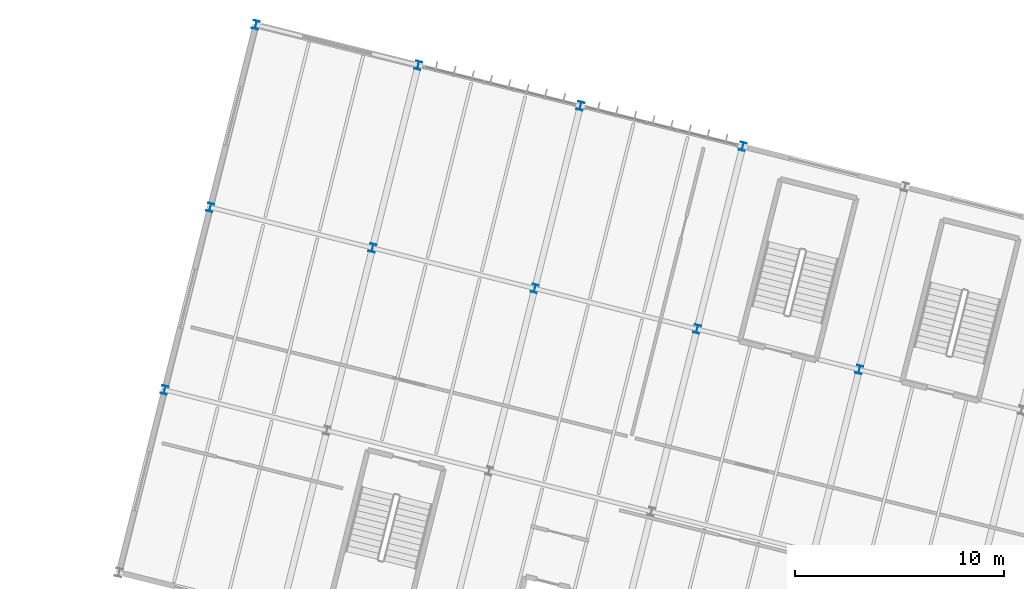
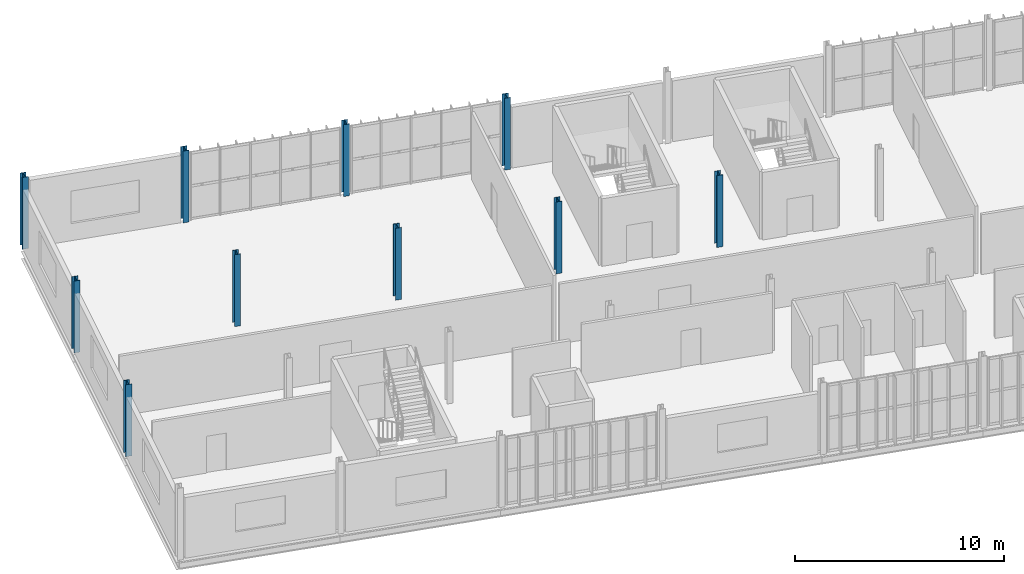
# One storey, part 5 of 61: 10 columns.
"""IFC4 building model written with IfcOpenShell, lengths in metres."""

import ifcopenshell
import ifcopenshell.guid

model = None  # the IFC model being written
_history = None  # IfcOwnerHistory: only IFC2X3 demands one
_inside = {}  # id of a spatial element -> (the spatial element, [elements in it])
_under = {}  # id of a project, library or spatial element -> (it, [spatial elements below it])
_declared = {}  # id of a project -> (the project, [libraries it declares])
_typed = {}  # id of a type object -> (the type object, [elements of that type])
_made_of = {}  # id of a material, layer set ... -> (it, [elements and type objects made of it])


def new_model(schema):
    """Start an empty IFC model of exactly this schema.

    Asked for "IFC4X3", IfcOpenShell would pick the latest addendum, in which some entities
    have other attributes; the version numbers below select the first issue.
    IFC2X3 requires an IfcOwnerHistory on every rooted entity: one is made here for all.
    """
    global model, _history
    if schema == "IFC4X3":
        model = ifcopenshell.file(schema_version=(4, 3, 0, 0))
    else:
        model = ifcopenshell.file(schema=schema)
    _inside.clear()
    _under.clear()
    _declared.clear()
    _typed.clear()
    _made_of.clear()
    _history = None
    if model.schema == "IFC2X3":
        org = make("IfcOrganization", Name="unknown")
        user = make(
            "IfcPersonAndOrganization",
            ThePerson=make("IfcPerson", FamilyName="unknown"),
            TheOrganization=org,
        )
        app = make(
            "IfcApplication",
            ApplicationDeveloper=org,
            Version="unknown",
            ApplicationFullName="unknown",
            ApplicationIdentifier="unknown",
        )
        _history = make(
            "IfcOwnerHistory",
            OwningUser=user,
            OwningApplication=app,
            ChangeAction="ADDED",
            CreationDate=0,
        )
    return model


def make(cls, **values):
    """One entity of the class cls with the attributes given. An attribute that is None is left unset."""
    return model.create_entity(
        cls, **{name: value for name, value in values.items() if value is not None}
    )


def rooted(cls, **values):
    """An entity with a GlobalId (a new one), such as an element, a storey or a relation."""
    return make(cls, GlobalId=ifcopenshell.guid.new(), OwnerHistory=_history, **values)


def si_unit(unit_type, name, prefix=None):
    """IfcSIUnit, for example si_unit("LENGTHUNIT", "METRE", prefix="MILLI")."""
    return make("IfcSIUnit", UnitType=unit_type, Prefix=prefix, Name=name)


def derived_unit(unit_type, elements):
    """IfcDerivedUnit: a product of units, each with its exponent."""
    return make(
        "IfcDerivedUnit",
        Elements=[
            make("IfcDerivedUnitElement", Unit=unit, Exponent=power)
            for unit, power in elements
        ],
        UnitType=unit_type,
    )


def assignment(units):
    """IfcUnitAssignment: the units of a project."""
    return None if units is None else make("IfcUnitAssignment", Units=units)


def point(xyz):
    """IfcCartesianPoint."""
    return None if xyz is None else make("IfcCartesianPoint", Coordinates=xyz)


def direction(xyz):
    """IfcDirection."""
    return None if xyz is None else make("IfcDirection", DirectionRatios=xyz)


def frame(location, z_axis=None, x_axis=None):
    """IfcAxis2Placement3D, a coordinate frame: its origin and axes. An axis left out is left unset."""
    return make(
        "IfcAxis2Placement3D",
        Location=point(location),
        Axis=direction(z_axis),
        RefDirection=direction(x_axis),
    )


def frame_2d(location, x_axis=None):
    """IfcAxis2Placement2D, a coordinate frame in the plane: its origin and x axis."""
    return make(
        "IfcAxis2Placement2D", Location=point(location), RefDirection=direction(x_axis)
    )


def origin():
    """The frame at (0, 0, 0) with its axes left unset."""
    return frame((0.0, 0.0, 0.0))


def origin_2d():
    """The frame at (0, 0) in the plane with its x axis left unset."""
    return frame_2d((0.0, 0.0))


def place(relative_to, where):
    """IfcLocalPlacement: puts the frame where relative to a parent placement (None: the world)."""
    return make(
        "IfcLocalPlacement", PlacementRelTo=relative_to, RelativePlacement=where
    )


def context(
    kind, dimensions, precision=None, world=None, true_north=None, identifier=None
):
    """IfcGeometricRepresentationContext, for example the 3D "Model" context."""
    return make(
        "IfcGeometricRepresentationContext",
        ContextIdentifier=identifier,
        ContextType=kind,
        CoordinateSpaceDimension=dimensions,
        Precision=precision,
        WorldCoordinateSystem=world,
        TrueNorth=true_north,
    )


def subcontext(parent, identifier, kind, view, scale=None):
    """IfcGeometricRepresentationSubContext, for example "Body" below "Model"."""
    return make(
        "IfcGeometricRepresentationSubContext",
        ContextIdentifier=identifier,
        ContextType=kind,
        ParentContext=parent,
        TargetScale=scale,
        TargetView=view,
    )


def project(units=None, contexts=None):
    """IfcProject with its units and contexts."""
    return rooted(
        "IfcProject",
        Name="project",
        RepresentationContexts=contexts,
        UnitsInContext=assignment(units),
    )


def spatial(cls, under=None, at=None, **own):
    """A site, building, storey or space (cls), placed at a placement, below another one or the project."""
    s = rooted(cls, ObjectPlacement=at, **own)
    if under is not None:
        _under.setdefault(under.id(), (under, []))[1].append(s)
    return s


def profile(cls, at=None, kind="AREA", **sizes):
    """A parametric profile (cls). Its sizes go by their IFC names, for example OverallWidth=200.0."""
    return make(cls, ProfileType=kind, Position=at, **sizes)


def i_section(**sizes):
    """IfcIShapeProfileDef."""
    return profile("IfcIShapeProfileDef", **sizes)


def extrude(swept, where, along, depth):
    """IfcExtrudedAreaSolid: the profile swept, set in the frame where, extruded along a direction by depth."""
    return make(
        "IfcExtrudedAreaSolid",
        SweptArea=swept,
        Position=where,
        ExtrudedDirection=direction(along),
        Depth=depth,
    )


def shape(context_of_items, identifier, shape_type, items):
    """IfcShapeRepresentation: the items that make up one representation, for example the "Body"."""
    return make(
        "IfcShapeRepresentation",
        ContextOfItems=context_of_items,
        RepresentationIdentifier=identifier,
        RepresentationType=shape_type,
        Items=items,
    )


def material(Name=None, Category=None):
    """IfcMaterial."""
    return make("IfcMaterial", Name=Name, Category=Category)


def material_profile(
    of_material, cross_section, Name=None, Category=None, Priority=None
):
    """IfcMaterialProfile: a cross section and its material."""
    return make(
        "IfcMaterialProfile",
        Name=Name,
        Material=of_material,
        Profile=cross_section,
        Priority=Priority,
        Category=Category,
    )


def profile_set(profiles, Name=None, composite=None):
    """IfcMaterialProfileSet."""
    return make(
        "IfcMaterialProfileSet",
        Name=Name,
        MaterialProfiles=profiles,
        CompositeProfile=composite,
    )


def made_of(thing, what):
    """Note that an element or type object is made of a material, layer set ...; save() writes the relation."""
    if what is not None:
        _made_of.setdefault(what.id(), (what, []))[1].append(thing)
    return thing


def type_object(cls, material=None, **own):
    """A type object (cls), such as IfcWallType, which elements share."""
    return made_of(rooted(cls, **own), material)


def element(
    cls,
    number,
    at=None,
    inside=None,
    cuts=None,
    type_object=None,
    material=None,
    context=None,
    identifier="Body",
    shape_type=None,
    held_by="IfcProductDefinitionShape",
    body=None,
    shapes=None,
    **own,
):
    """One element of the class cls, such as IfcWall. Its Tag is "e" and its number.

    at: its placement. inside: the storey or other place that contains it. cuts: it is an
    opening in that element (IfcRelVoidsElement). A single representation is given by context,
    identifier, shape_type and body (its items); several are given by shapes. held_by: the class
    of the entity that holds the representations. save() writes the other relations.
    """
    e = rooted(cls, Tag="e%d" % number, ObjectPlacement=at, **own)
    if body is not None:
        shapes = [shape(context, identifier, shape_type, body)]
    if shapes is not None:
        e.Representation = make(held_by, Representations=shapes)
    if inside is not None:
        _inside.setdefault(inside.id(), (inside, []))[1].append(e)
    if cuts is not None:
        rooted(
            "IfcRelVoidsElement", RelatingBuildingElement=cuts, RelatedOpeningElement=e
        )
    if type_object is not None:
        _typed.setdefault(type_object.id(), (type_object, []))[1].append(e)
    return made_of(e, material)


def aggregate(whole, parts):
    """IfcRelAggregates: a whole, such as a stair, and the parts it consists of."""
    return rooted("IfcRelAggregates", RelatingObject=whole, RelatedObjects=parts)


def save(model, path):
    """Write the relations noted so far, then the file.

    IfcRelAggregates (storeys below a building ...), IfcRelContainedInSpatialStructure (elements
    in a storey), IfcRelDefinesByType, IfcRelAssociatesMaterial and IfcRelDeclares: one each for
    every whole, place, type object, material and project.
    """
    for whole, parts in _under.values():
        aggregate(whole, parts)
    for where, things in _inside.values():
        rooted(
            "IfcRelContainedInSpatialStructure",
            RelatedElements=things,
            RelatingStructure=where,
        )
    for kind, things in _typed.values():
        rooted("IfcRelDefinesByType", RelatedObjects=things, RelatingType=kind)
    for what, things in _made_of.values():
        rooted("IfcRelAssociatesMaterial", RelatedObjects=things, RelatingMaterial=what)
    for by, libraries in _declared.values():
        rooted("IfcRelDeclares", RelatingContext=by, RelatedDefinitions=libraries)
    model.write(path)


model = new_model("IFC4")

# Units and contexts
model_context = context("Model", 3, precision=1e-05, world=origin(), true_north=direction((0.0, 1.0)))
body_context = subcontext(model_context, "Body", "Model", "MODEL_VIEW")
ifc_project = project(units=[si_unit("LENGTHUNIT", "METRE"), si_unit("AREAUNIT", "SQUARE_METRE"), si_unit("VOLUMEUNIT", "CUBIC_METRE"), si_unit("PLANEANGLEUNIT", "RADIAN"), si_unit("MASSUNIT", "GRAM", prefix="KILO"), si_unit("THERMODYNAMICTEMPERATUREUNIT", "KELVIN"), si_unit("TIMEUNIT", "SECOND"), derived_unit("THERMALTRANSMITTANCEUNIT", [(si_unit("MASSUNIT", "GRAM", prefix="KILO"), 1), (si_unit("THERMODYNAMICTEMPERATUREUNIT", "KELVIN"), -1), (si_unit("TIMEUNIT", "SECOND"), -3)])], contexts=[model_context])

# Site, building, storey
site_placement = place(None, origin())
site = spatial("IfcSite", under=ifc_project, at=site_placement, CompositionType="ELEMENT")
building_placement = place(site_placement, origin())
building = spatial("IfcBuilding", under=site, at=building_placement, Name="Cambertide Market Hall", CompositionType="ELEMENT")
storey_placement = place(building_placement, frame((0.0, 0.0, 9.89990234375)))
storey = spatial("IfcBuildingStorey", under=building, at=storey_placement, Name="L03", CompositionType="ELEMENT", Elevation=9.89990234375)

# Columns
ifc_material_1 = material(Name="Steel S355", Category="steel")
ifc_material_profile_1 = material_profile(ifc_material_1, i_section(OverallWidth=0.300048828125, OverallDepth=0.39990234375, WebThickness=0.013427734375, FlangeThickness=0.02392578125, FilletRadius=0.027099609375, at=origin_2d()), Name="HEB 400")
ifc_profile_set_1 = profile_set([ifc_material_profile_1], Name="Steel S355")
column_type_1 = type_object("IfcColumnType", Name="Exterior Steel Column HEB 400", PredefinedType="COLUMN", material=ifc_profile_set_1)
for number, where, z_axis, x_axis, name in (
    (1, (110.182861328125, 108.731201171875, 0.0), (0.0, 0.0, 1.0), (0.970142500145, -0.242535625038, 0.0), "Level 3 Column COL-V4-1-2-L03"),
    (2, (112.36572265625, 117.462646484375, 0.0), (0.0, 0.0, 1.0), (0.970142500145, -0.242535625038, 0.0), "Level 3 Column COL-V4-1-3-L03"),
    (3, (114.548583984375, 126.19384765625, 0.0), (0.0, 0.0, 1.0), (0.970142500145, -0.242535625038, 0.0), "Level 3 Column COL-V4-1-4-L03"),
    (4, (122.3095703125, 124.253662109375, 0.0), (0.0, 0.0, 1.0), (0.970142500145, -0.242535625038, 0.0), "Level 3 Column COL-V4-2-4-L03"),
    (5, (130.07080078125, 122.313232421875, 0.0), (0.0, 0.0, 1.0), (0.970142500145, -0.242535625038, 0.0), "Level 3 Column COL-V4-3-4-L03"),
    (6, (137.831787109375, 120.373046875, 0.0), (0.0, 0.0, 1.0), (0.970142500145, -0.242535625038, 0.0), "Level 3 Column COL-V4-4-4-L03"),
):
    element("IfcColumn", number, at=place(storey_placement, frame(where, z_axis=z_axis, x_axis=x_axis)), inside=storey, type_object=column_type_1, Name=name, PredefinedType="COLUMN", context=body_context, shape_type="SweptSolid", body=[
        extrude(i_section(OverallWidth=0.300048828125, OverallDepth=0.39990234375, WebThickness=0.013427734375, FlangeThickness=0.02392578125, FilletRadius=0.027099609375, at=origin_2d()), origin(), (0.0, 0.0, 1.0), 4.2001953125),
    ])
ifc_material_2 = material(Name="Steel S355", Category="steel")
ifc_material_profile_2 = material_profile(ifc_material_2, i_section(OverallWidth=0.300048828125, OverallDepth=0.39990234375, WebThickness=0.013427734375, FlangeThickness=0.02392578125, FilletRadius=0.027099609375, at=origin_2d()), Name="HEB 400")
ifc_profile_set_2 = profile_set([ifc_material_profile_2], Name="Steel S355")
column_type_2 = type_object("IfcColumnType", Name="Steel Column HEB 400", PredefinedType="COLUMN", material=ifc_profile_set_2)
for number, where, z_axis, x_axis, name in (
    (7, (120.126708984375, 115.522216796875, 0.0), (0.0, 0.0, 1.0), (0.970142500145, -0.242535625038, 0.0), "Level 3 Column COL-V4-2-3-L03"),
    (8, (127.887939453125, 113.58203125, 0.0), (0.0, 0.0, 1.0), (0.970142500145, -0.242535625038, 0.0), "Level 3 Column COL-V4-3-3-L03"),
    (9, (135.649169921875, 111.6416015625, 0.0), (0.0, 0.0, 1.0), (0.970142500145, -0.242535625038, 0.0), "Level 3 Column COL-V4-4-3-L03"),
    (10, (143.41015625, 109.701416015625, 0.0), (0.0, 0.0, 1.0), (0.970142500145, -0.242535625038, 0.0), "Level 3 Column COL-V4-5-3-L03"),
):
    element("IfcColumn", number, at=place(storey_placement, frame(where, z_axis=z_axis, x_axis=x_axis)), inside=storey, type_object=column_type_2, Name=name, PredefinedType="COLUMN", context=body_context, shape_type="SweptSolid", body=[
        extrude(i_section(OverallWidth=0.300048828125, OverallDepth=0.39990234375, WebThickness=0.013427734375, FlangeThickness=0.02392578125, FilletRadius=0.027099609375, at=origin_2d()), origin(), (0.0, 0.0, 1.0), 4.2001953125),
    ])

save(model, "model.ifc")
